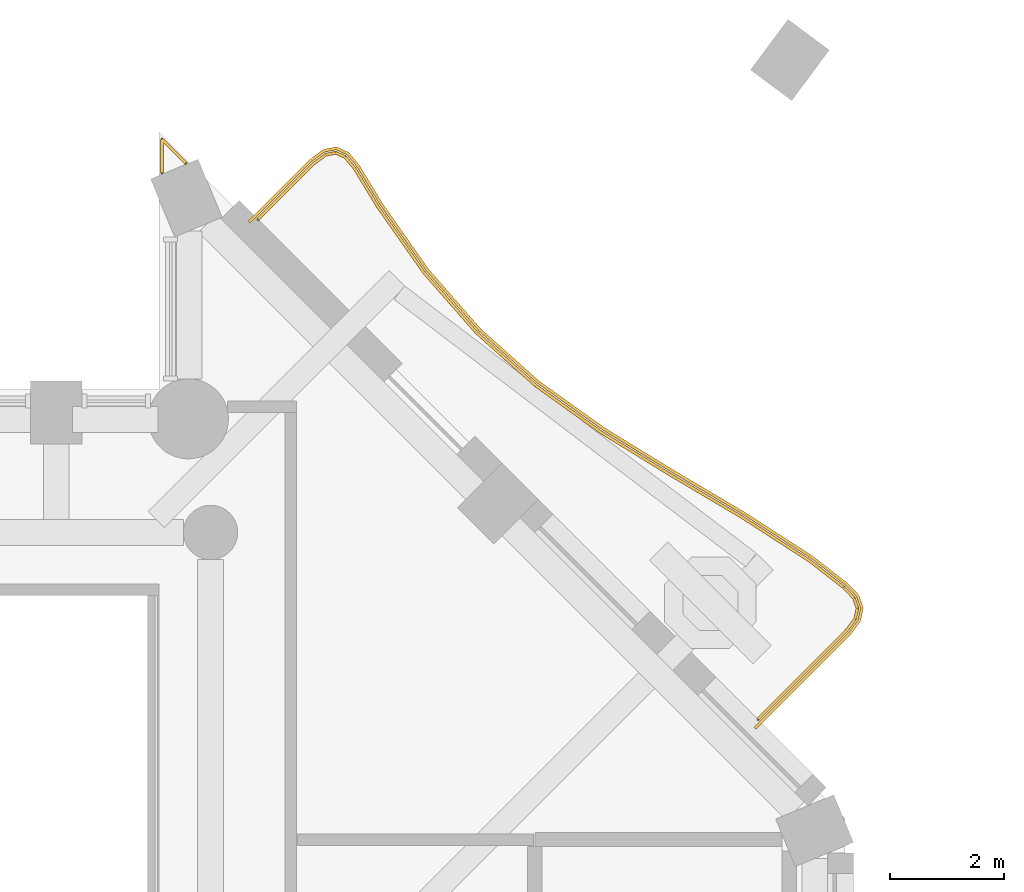
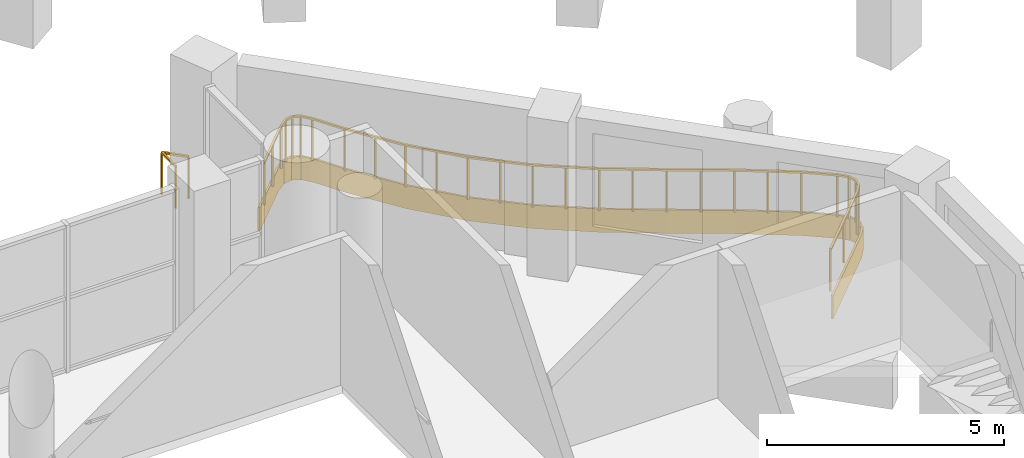
# One storey, part 13 of 14: 2 railings, 1 covering.
"""IFC4 building model written with IfcOpenShell, lengths in metres."""

from ifc_helpers import new_model, si_unit, direction, frame, origin, origin_2d, place, context, subcontext, project, spatial, polyline, rectangle, outline, extrude, material, layer, layer_set, type_object, element, save


model = new_model("IFC4")

# Units and contexts
model_context = context("Model", 3, precision=1e-05, world=origin(), true_north=direction((0.0, 1.0)))
body_context = subcontext(model_context, "Body", "Model", "MODEL_VIEW")
ifc_project = project(units=[si_unit("LENGTHUNIT", "METRE"), si_unit("AREAUNIT", "SQUARE_METRE"), si_unit("VOLUMEUNIT", "CUBIC_METRE"), si_unit("PLANEANGLEUNIT", "RADIAN"), si_unit("MASSUNIT", "GRAM", prefix="KILO")], contexts=[model_context])

# Site, building, storey
site_placement = place(None, origin())
site = spatial("IfcSite", under=ifc_project, at=site_placement, CompositionType="ELEMENT")
building_placement = place(site_placement, origin())
building = spatial("IfcBuilding", under=site, at=building_placement, Name="Cypress Arch Tower", CompositionType="ELEMENT")
storey_placement = place(building_placement, frame((0.0, 0.0, 222.0)))
storey = spatial("IfcBuildingStorey", under=building, at=storey_placement, Name="L49", CompositionType="ELEMENT", Elevation=222.0)

# Covering
ifc_material_1 = material(Name="White powder-coated aluminium fascia", Category="aluminium")
ifc_layer = layer(ifc_material_1, 0.050048828125)
ifc_layer_set = layer_set([ifc_layer], Name="Balcony fascia BF50")
covering_type = type_object("IfcCoveringType", Name="Balcony fascia BF50", PredefinedType="CLADDING", material=ifc_layer_set)
covering_placement = place(storey_placement, frame((0.0, 0.0, -0.60009765625)))
element("IfcCovering", 1, at=covering_placement, inside=storey, type_object=covering_type, Name="Balcony fascia L49-B05", PredefinedType="CLADDING", context=body_context, shape_type="SweptSolid", body=[
    extrude(outline(polyline([(10.741943359375, 16.53076171875), (10.973388671875, 16.7041015625), (11.204833984375, 16.748291015625), (11.419189453125, 16.650634765625), (11.60302734375, 16.42724609375), (12.011474609375, 15.755615234375), (12.81689453125, 14.607177734375), (13.726806640625, 13.565673828125), (14.75732421875, 12.64501953125), (15.897216796875, 11.83154296875), (17.10986328125, 11.08740234375), (18.341796875, 10.359130859375), (19.53564453125, 9.5888671875), (20.146240234375, 9.11376953125), (20.345458984375, 8.90673828125), (20.42529296875, 8.67919921875), (20.3740234375, 8.443359375), (20.2021484375, 8.21337890625), (18.545166015625, 6.556396484375), (18.509765625, 6.591796875), (20.1640625, 8.24609375), (20.32763671875, 8.464599609375), (20.37353515625, 8.67578125), (20.3017578125, 8.8798828125), (20.112548828125, 9.076416015625), (19.506591796875, 9.548095703125), (18.315673828125, 10.316650390625), (17.083984375, 11.044677734375), (15.869384765625, 11.789794921875), (14.72607421875, 12.605712890625), (13.691162109375, 13.530517578125), (12.77734375, 14.576416015625), (11.9697265625, 15.728271484375), (11.56201171875, 16.3984375), (11.387939453125, 16.60986328125), (11.198486328125, 16.696044921875), (10.994140625, 16.656982421875), (10.77490234375, 16.492919921875), (9.691650390625, 15.40966796875), (9.65625, 15.445068359375), (10.741943359375, 16.53076171875)])), origin(), (0.0, 0.0, 1.0), 0.60009765625),
])

# Railings
ifc_material_2 = material(Name="Powder-coated steel posts and rods, 100 mm clear between rods", Category="steel")
railing_type_1 = type_object("IfcRailingType", Name="Balcony guard GR1100", PredefinedType="GUARDRAIL", material=ifc_material_2)
railing_1_placement = place(storey_placement, frame((9.83251953125, 15.479736328125, 0.0)))
element("IfcRailing", 2, at=railing_1_placement, inside=storey, type_object=railing_type_1, Name="Balcony guard L49-B05", PredefinedType="GUARDRAIL", context=body_context, shape_type="SweptSolid", body=[
    extrude(rectangle(XDim=0.050048828125, YDim=0.050048828125, at=origin_2d()), frame((0.0, 0.0, 1.0751953125), z_axis=(0.707106781187, 0.707106781187, 0.0), x_axis=(-0.707106781187, 0.707106781187, 0.0)), (0.0, 0.0, 1.0), 1.37890625),
    extrude(rectangle(XDim=0.050048828125, YDim=0.050048828125, at=origin_2d()), frame((0.97509765625, 0.97509765625, 1.0751953125), z_axis=(0.800339238495, 0.59954741541, 0.0), x_axis=(-0.59954741541, 0.800339238495, 0.0)), (0.0, 0.0, 1.0), 0.259033203125),
    extrude(rectangle(XDim=0.050048828125, YDim=0.050048828125, at=origin_2d()), frame((1.182373046875, 1.13037109375, 1.0751953125), z_axis=(0.982208250509, 0.187794974994, 0.0), x_axis=(-0.187794974994, 0.982208250509, 0.0)), (0.0, 0.0, 1.0), 0.1806640625),
    extrude(rectangle(XDim=0.050048828125, YDim=0.050048828125, at=origin_2d()), frame((1.35986328125, 1.164306640625, 1.0751953125), z_axis=(0.909810093003, -0.415024812113, 0.0), x_axis=(0.415024812113, 0.909810093003, 0.0)), (0.0, 0.0, 1.0), 0.1806640625),
    extrude(rectangle(XDim=0.050048828125, YDim=0.050048828125, at=origin_2d()), frame((1.524169921875, 1.08935546875, 1.0751953125), z_axis=(0.635905654499, -0.771766803235, 0.0), x_axis=(0.771766803235, 0.635905654499, 0.0)), (0.0, 0.0, 1.0), 0.2587890625),
    extrude(rectangle(XDim=0.050048828125, YDim=0.050048828125, at=origin_2d()), frame((1.688720703125, 0.8896484375, 1.0751953125), z_axis=(0.519580604718, -0.85442143887, 0.0), x_axis=(0.85442143887, 0.519580604718, 0.0)), (0.0, 0.0, 1.0), 0.782470703125),
    extrude(rectangle(XDim=0.050048828125, YDim=0.050048828125, at=origin_2d()), frame((2.09521484375, 0.22119140625, 1.0751953125), z_axis=(0.574147129895, -0.818752143957, 0.0), x_axis=(0.818752143957, 0.574147129895, 0.0)), (0.0, 0.0, 1.0), 1.411376953125),
    extrude(rectangle(XDim=0.050048828125, YDim=0.050048828125, at=origin_2d()), frame((2.905517578125, -0.934326171875, 1.0751953125), z_axis=(0.657884694531, -0.753118668406, 0.0), x_axis=(0.753118668406, 0.657884694531, 0.0)), (0.0, 0.0, 1.0), 1.39453125),
    extrude(rectangle(XDim=0.050048828125, YDim=0.050048828125, at=origin_2d()), frame((3.822998046875, -1.984619140625, 1.0751953125), z_axis=(0.74575424442, -0.666221139659, 0.0), x_axis=(0.666221139659, 0.74575424442, 0.0)), (0.0, 0.0, 1.0), 1.3935546875),
    extrude(rectangle(XDim=0.050048828125, YDim=0.050048828125, at=origin_2d()), frame((4.8623046875, -2.9130859375, 1.0751953125), z_axis=(0.813955834636, -0.580926758948, 0.0), x_axis=(0.580926758948, 0.813955834636, 0.0)), (0.0, 0.0, 1.0), 1.4091796875),
    extrude(rectangle(XDim=0.050048828125, YDim=0.050048828125, at=origin_2d()), frame((6.00927734375, -3.731689453125, 1.0751953125), z_axis=(0.852333128243, -0.522999271987, 0.0), x_axis=(0.522999271987, 0.852333128243, 0.0)), (0.0, 0.0, 1.0), 1.427001953125),
    extrude(rectangle(XDim=0.050048828125, YDim=0.050048828125, at=origin_2d()), frame((7.2255859375, -4.47802734375, 1.0751953125), z_axis=(0.860923129552, -0.508735063665, 0.0), x_axis=(0.508735063665, 0.860923129552, 0.0)), (0.0, 0.0, 1.0), 1.43017578125),
    extrude(rectangle(XDim=0.050048828125, YDim=0.050048828125, at=origin_2d()), frame((8.456787109375, -5.20556640625, 1.0751953125), z_axis=(0.840217995636, -0.542248761926, 0.0), x_axis=(0.542248761926, 0.840217995636, 0.0)), (0.0, 0.0, 1.0), 1.414306640625),
    extrude(rectangle(XDim=0.050048828125, YDim=0.050048828125, at=origin_2d()), frame((9.64501953125, -5.972412109375, 1.0751953125), z_axis=(0.789110732608, -0.614250967996, 0.0), x_axis=(0.614250967996, 0.789110732608, 0.0)), (0.0, 0.0, 1.0), 0.762451171875),
    extrude(rectangle(XDim=0.050048828125, YDim=0.050048828125, at=origin_2d()), frame((10.24658203125, -6.440673828125, 1.0751953125), z_axis=(0.693750658935, -0.720215261729, 0.0), x_axis=(0.720215261729, 0.693750658935, 0.0)), (0.0, 0.0, 1.0), 0.25830078125),
    extrude(rectangle(XDim=0.050048828125, YDim=0.050048828125, at=origin_2d()), frame((10.42578125, -6.626708984375, 1.0751953125), z_axis=(0.330748575764, -0.943718909226, 0.0), x_axis=(0.943718909226, 0.330748575764, 0.0)), (0.0, 0.0, 1.0), 0.191162109375),
    extrude(rectangle(XDim=0.050048828125, YDim=0.050048828125, at=origin_2d()), frame((10.489013671875, -6.80712890625, 1.0751953125), z_axis=(-0.212058381562, -0.977256999366, 0.0), x_axis=(0.977256999366, -0.212058381562, 0.0)), (0.0, 0.0, 1.0), 0.191162109375),
    extrude(rectangle(XDim=0.050048828125, YDim=0.050048828125, at=origin_2d()), frame((10.448486328125, -6.993896484375, 1.0751953125), z_axis=(-0.599243588661, -0.800566750152, 0.0), x_axis=(0.800566750152, -0.599243588661, 0.0)), (0.0, 0.0, 1.0), 0.25830078125),
    extrude(rectangle(XDim=0.050048828125, YDim=0.050048828125, at=origin_2d()), frame((10.293701171875, -7.20068359375, 1.0751953125), z_axis=(-0.707050965046, -0.707162592922, 0.0), x_axis=(0.707162592922, -0.707050965046, 0.0)), (0.0, 0.0, 1.0), 2.18701171875),
    extrude(rectangle(XDim=0.0400390625, YDim=0.0400390625, at=origin_2d()), origin(), (0.0, 0.0, 1.0), 1.050048828125),
    extrude(rectangle(XDim=0.0400390625, YDim=0.0400390625, at=origin_2d()), frame((0.487548828125, 0.487548828125, 0.0)), (0.0, 0.0, 1.0), 1.050048828125),
    extrude(rectangle(XDim=0.0400390625, YDim=0.0400390625, at=origin_2d()), frame((0.97509765625, 0.97509765625, 0.0)), (0.0, 0.0, 1.0), 1.050048828125),
    extrude(rectangle(XDim=0.0400390625, YDim=0.0400390625, at=origin_2d()), frame((1.182373046875, 1.13037109375, 0.0)), (0.0, 0.0, 1.0), 1.050048828125),
    extrude(rectangle(XDim=0.0400390625, YDim=0.0400390625, at=origin_2d()), frame((1.35986328125, 1.164306640625, 0.0)), (0.0, 0.0, 1.0), 1.050048828125),
    extrude(rectangle(XDim=0.0400390625, YDim=0.0400390625, at=origin_2d()), frame((1.524169921875, 1.08935546875, 0.0)), (0.0, 0.0, 1.0), 1.050048828125),
    extrude(rectangle(XDim=0.0400390625, YDim=0.0400390625, at=origin_2d()), frame((1.688720703125, 0.8896484375, 0.0)), (0.0, 0.0, 1.0), 1.050048828125),
    extrude(rectangle(XDim=0.0400390625, YDim=0.0400390625, at=origin_2d()), frame((2.09521484375, 0.22119140625, 0.0)), (0.0, 0.0, 1.0), 1.050048828125),
    extrude(rectangle(XDim=0.0400390625, YDim=0.0400390625, at=origin_2d()), frame((2.50048828125, -0.3564453125, 0.0)), (0.0, 0.0, 1.0), 1.050048828125),
    extrude(rectangle(XDim=0.0400390625, YDim=0.0400390625, at=origin_2d()), frame((2.905517578125, -0.934326171875, 0.0)), (0.0, 0.0, 1.0), 1.050048828125),
    extrude(rectangle(XDim=0.0400390625, YDim=0.0400390625, at=origin_2d()), frame((3.3642578125, -1.45947265625, 0.0)), (0.0, 0.0, 1.0), 1.050048828125),
    extrude(rectangle(XDim=0.0400390625, YDim=0.0400390625, at=origin_2d()), frame((3.822998046875, -1.984619140625, 0.0)), (0.0, 0.0, 1.0), 1.050048828125),
    extrude(rectangle(XDim=0.0400390625, YDim=0.0400390625, at=origin_2d()), frame((4.3427734375, -2.44873046875, 0.0)), (0.0, 0.0, 1.0), 1.050048828125),
    extrude(rectangle(XDim=0.0400390625, YDim=0.0400390625, at=origin_2d()), frame((4.8623046875, -2.9130859375, 0.0)), (0.0, 0.0, 1.0), 1.050048828125),
    extrude(rectangle(XDim=0.0400390625, YDim=0.0400390625, at=origin_2d()), frame((5.435791015625, -3.322265625, 0.0)), (0.0, 0.0, 1.0), 1.050048828125),
    extrude(rectangle(XDim=0.0400390625, YDim=0.0400390625, at=origin_2d()), frame((6.00927734375, -3.731689453125, 0.0)), (0.0, 0.0, 1.0), 1.050048828125),
    extrude(rectangle(XDim=0.0400390625, YDim=0.0400390625, at=origin_2d()), frame((6.617431640625, -4.10498046875, 0.0)), (0.0, 0.0, 1.0), 1.050048828125),
    extrude(rectangle(XDim=0.0400390625, YDim=0.0400390625, at=origin_2d()), frame((7.2255859375, -4.47802734375, 0.0)), (0.0, 0.0, 1.0), 1.050048828125),
    extrude(rectangle(XDim=0.0400390625, YDim=0.0400390625, at=origin_2d()), frame((7.84130859375, -4.841796875, 0.0)), (0.0, 0.0, 1.0), 1.050048828125),
    extrude(rectangle(XDim=0.0400390625, YDim=0.0400390625, at=origin_2d()), frame((8.456787109375, -5.20556640625, 0.0)), (0.0, 0.0, 1.0), 1.050048828125),
    extrude(rectangle(XDim=0.0400390625, YDim=0.0400390625, at=origin_2d()), frame((9.05078125, -5.5888671875, 0.0)), (0.0, 0.0, 1.0), 1.050048828125),
    extrude(rectangle(XDim=0.0400390625, YDim=0.0400390625, at=origin_2d()), frame((9.64501953125, -5.972412109375, 0.0)), (0.0, 0.0, 1.0), 1.050048828125),
    extrude(rectangle(XDim=0.0400390625, YDim=0.0400390625, at=origin_2d()), frame((10.24658203125, -6.440673828125, 0.0)), (0.0, 0.0, 1.0), 1.050048828125),
    extrude(rectangle(XDim=0.0400390625, YDim=0.0400390625, at=origin_2d()), frame((10.42578125, -6.626708984375, 0.0)), (0.0, 0.0, 1.0), 1.050048828125),
    extrude(rectangle(XDim=0.0400390625, YDim=0.0400390625, at=origin_2d()), frame((10.489013671875, -6.80712890625, 0.0)), (0.0, 0.0, 1.0), 1.050048828125),
    extrude(rectangle(XDim=0.0400390625, YDim=0.0400390625, at=origin_2d()), frame((10.448486328125, -6.993896484375, 0.0)), (0.0, 0.0, 1.0), 1.050048828125),
    extrude(rectangle(XDim=0.0400390625, YDim=0.0400390625, at=origin_2d()), frame((10.293701171875, -7.20068359375, 0.0)), (0.0, 0.0, 1.0), 1.050048828125),
    extrude(rectangle(XDim=0.0400390625, YDim=0.0400390625, at=origin_2d()), frame((9.5205078125, -7.97412109375, 0.0)), (0.0, 0.0, 1.0), 1.050048828125),
    extrude(rectangle(XDim=0.0400390625, YDim=0.0400390625, at=origin_2d()), frame((8.747314453125, -8.747314453125, 0.0)), (0.0, 0.0, 1.0), 1.050048828125),
])
ifc_material_3 = material(Name="Powder-coated steel posts and rods, 100 mm clear between rods", Category="steel")
railing_type_2 = type_object("IfcRailingType", Name="Corner guard GR1100C", PredefinedType="GUARDRAIL", material=ifc_material_3)
railing_2_placement = place(storey_placement, frame((8.14990234375, 16.290771484375, 0.0)))
element("IfcRailing", 3, at=railing_2_placement, inside=storey, type_object=railing_type_2, Name="Corner guard L49 7", PredefinedType="GUARDRAIL", context=body_context, shape_type="SweptSolid", body=[
    extrude(rectangle(XDim=0.050048828125, YDim=0.050048828125, at=origin_2d()), frame((0.0, 0.0, 1.0751953125), z_axis=(0.0, 1.0, 0.0), x_axis=(-1.0, 0.0, 0.0)), (0.0, 0.0, 1.0), 0.588623046875),
    extrude(rectangle(XDim=0.050048828125, YDim=0.050048828125, at=origin_2d()), frame((0.0, 0.588623046875, 1.0751953125), z_axis=(0.707106781187, -0.707106781187, 0.0), x_axis=(0.707106781187, 0.707106781187, 0.0)), (0.0, 0.0, 1.0), 0.588623046875),
    extrude(rectangle(XDim=0.0400390625, YDim=0.0400390625, at=origin_2d()), origin(), (0.0, 0.0, 1.0), 1.050048828125),
    extrude(rectangle(XDim=0.0400390625, YDim=0.0400390625, at=origin_2d()), frame((0.0, 0.588623046875, 0.0)), (0.0, 0.0, 1.0), 1.050048828125),
    extrude(rectangle(XDim=0.0400390625, YDim=0.0400390625, at=origin_2d()), frame((0.416259765625, 0.17236328125, 0.0)), (0.0, 0.0, 1.0), 1.050048828125),
])

save(model, "model.ifc")
